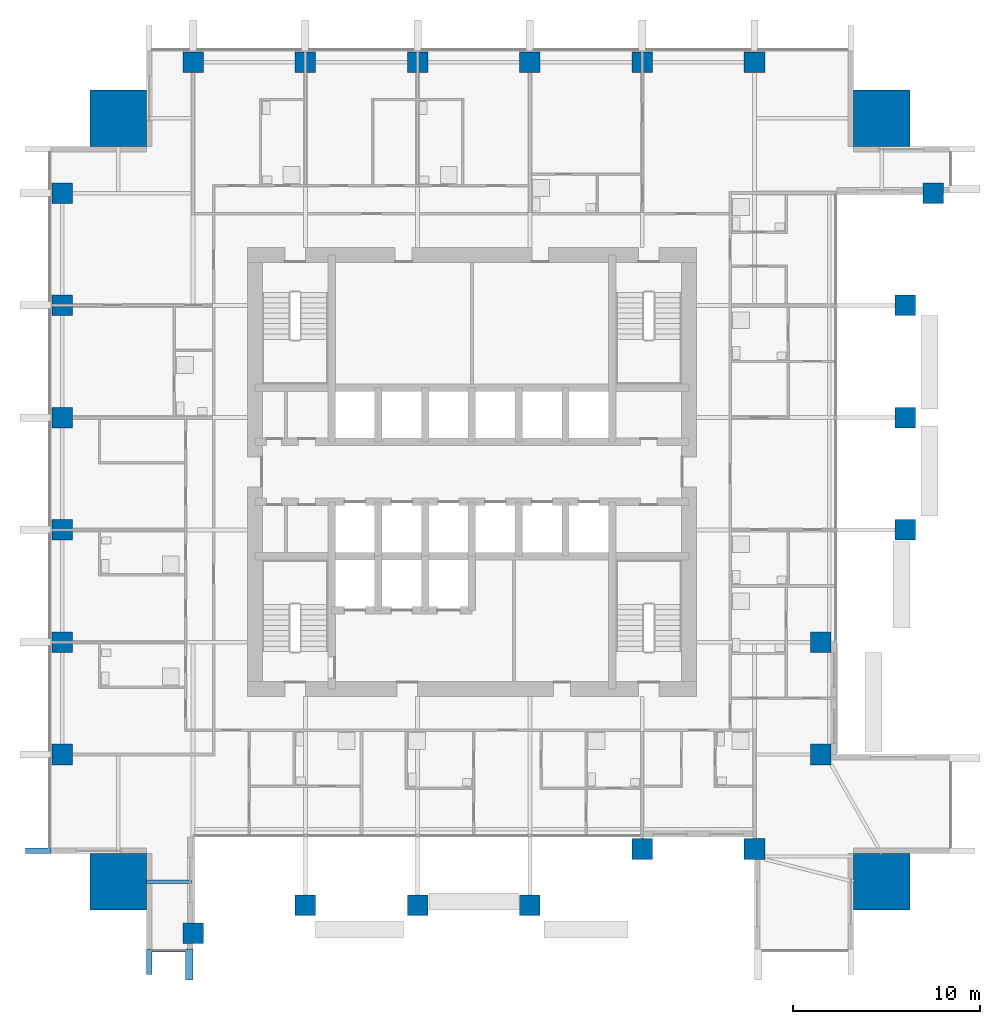
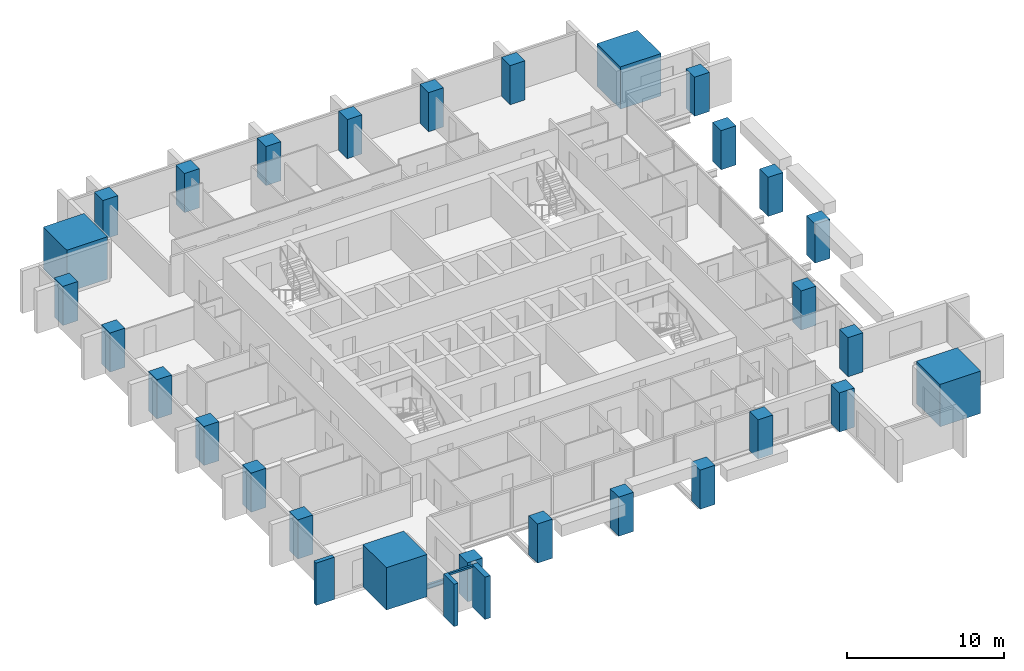
# One storey, part 1 of 13: 28 columns, 4 members, 1 beam, 2 elements without a shape of their own.
"""IFC4 building model written with IfcOpenShell, lengths in metres."""

from ifc_helpers import new_model, si_unit, direction, frame, origin, origin_2d, place, context, subcontext, project, spatial, rectangle, i_section, extrude, material, material_profile, profile_set, type_object, element, aggregate, save


model = new_model("IFC4")

# Units and contexts
model_context = context("Model", 3, precision=1e-05, world=origin(), true_north=direction((0.0, 1.0)))
body_context = subcontext(model_context, "Body", "Model", "MODEL_VIEW")
ifc_project = project(units=[si_unit("LENGTHUNIT", "METRE"), si_unit("AREAUNIT", "SQUARE_METRE"), si_unit("VOLUMEUNIT", "CUBIC_METRE"), si_unit("PLANEANGLEUNIT", "RADIAN"), si_unit("MASSUNIT", "GRAM", prefix="KILO")], contexts=[model_context])

# Site, building, storey
site_placement = place(None, origin())
site = spatial("IfcSite", under=ifc_project, at=site_placement, CompositionType="ELEMENT")
building_placement = place(site_placement, origin())
building = spatial("IfcBuilding", under=site, at=building_placement, Name="Amberfall Residences", CompositionType="ELEMENT")
storey_placement = place(building_placement, frame((0.0, 0.0, 111.699951171875)))
storey = spatial("IfcBuildingStorey", under=building, at=storey_placement, Name="L30", CompositionType="ELEMENT", Elevation=111.699951171875)

# Columns
ifc_material_1 = material(Name="Concrete C70", Category="concrete")
ifc_material_profile_1 = material_profile(ifc_material_1, rectangle(XDim=1.10009765625, YDim=1.10009765625, at=origin_2d()), Name="Column 1100 x 1100 C70")
ifc_profile_set_1 = profile_set([ifc_material_profile_1], Name="Concrete C70")
column_type_1 = type_object("IfcColumnType", Name="Column 1100 x 1100 C70", PredefinedType="COLUMN", material=ifc_profile_set_1)
for number, where, z_axis, x_axis, name in (
    (1, (59.60009765625, 20.85009765625, 0.0), (0.0, 0.0, 1.0), (1.0, 0.0, 0.0), "Column C2 L30 S1"),
    (2, (65.60009765625, 22.35009765625, 0.0), (0.0, 0.0, 1.0), (1.0, 0.0, 0.0), "Column C2 L30 S2"),
    (3, (71.60009765625, 22.35009765625, 0.0), (0.0, 0.0, 1.0), (1.0, 0.0, 0.0), "Column C2 L30 S3"),
    (4, (77.60009765625, 22.35009765625, 0.0), (0.0, 0.0, 1.0), (1.0, 0.0, 0.0), "Column C2 L30 S4"),
    (5, (83.60009765625, 25.35009765625, 0.0), (0.0, 0.0, 1.0), (1.0, 0.0, 0.0), "Column C2 L30 S5"),
    (6, (89.60009765625, 25.35009765625, 0.0), (0.0, 0.0, 1.0), (1.0, 0.0, 0.0), "Column C2 L30 S6"),
    (7, (93.14990234375, 30.39990234375, 0.0), (0.0, 0.0, 1.0), (1.0, 0.0, 0.0), "Column C2 L30 E1"),
    (8, (93.14990234375, 36.39990234375, 0.0), (0.0, 0.0, 1.0), (1.0, 0.0, 0.0), "Column C2 L30 E2"),
    (9, (97.64990234375, 42.39990234375, 0.0), (0.0, 0.0, 1.0), (1.0, 0.0, 0.0), "Column C2 L30 E3"),
    (10, (97.64990234375, 48.39990234375, 0.0), (0.0, 0.0, 1.0), (1.0, 0.0, 0.0), "Column C2 L30 E4"),
    (11, (97.64990234375, 54.39990234375, 0.0), (0.0, 0.0, 1.0), (1.0, 0.0, 0.0), "Column C2 L30 E5"),
    (12, (99.14990234375, 60.39990234375, 0.0), (0.0, 0.0, 1.0), (1.0, 0.0, 0.0), "Column C2 L30 E6"),
    (13, (59.60009765625, 67.39990234375, 0.0), (0.0, 0.0, 1.0), (1.0, 0.0, 0.0), "Column C2 L30 N1"),
    (14, (65.60009765625, 67.39990234375, 0.0), (0.0, 0.0, 1.0), (1.0, 0.0, 0.0), "Column C2 L30 N2"),
    (15, (71.60009765625, 67.39990234375, 0.0), (0.0, 0.0, 1.0), (1.0, 0.0, 0.0), "Column C2 L30 N3"),
    (16, (77.60009765625, 67.39990234375, 0.0), (0.0, 0.0, 1.0), (1.0, 0.0, 0.0), "Column C2 L30 N4"),
    (17, (83.60009765625, 67.39990234375, 0.0), (0.0, 0.0, 1.0), (1.0, 0.0, 0.0), "Column C2 L30 N5"),
    (18, (89.60009765625, 67.39990234375, 0.0), (0.0, 0.0, 1.0), (1.0, 0.0, 0.0), "Column C2 L30 N6"),
    (19, (52.60009765625, 30.39990234375, 0.0), (0.0, 0.0, 1.0), (1.0, 0.0, 0.0), "Column C2 L30 W1"),
    (20, (52.60009765625, 36.39990234375, 0.0), (0.0, 0.0, 1.0), (1.0, 0.0, 0.0), "Column C2 L30 W2"),
    (21, (52.60009765625, 42.39990234375, 0.0), (0.0, 0.0, 1.0), (1.0, 0.0, 0.0), "Column C2 L30 W3"),
    (22, (52.60009765625, 48.39990234375, 0.0), (0.0, 0.0, 1.0), (1.0, 0.0, 0.0), "Column C2 L30 W4"),
    (23, (52.60009765625, 54.39990234375, 0.0), (0.0, 0.0, 1.0), (1.0, 0.0, 0.0), "Column C2 L30 W5"),
    (24, (52.60009765625, 60.39990234375, 0.0), (0.0, 0.0, 1.0), (1.0, 0.0, 0.0), "Column C2 L30 W6"),
):
    element("IfcColumn", number, at=place(storey_placement, frame(where, z_axis=z_axis, x_axis=x_axis)), inside=storey, type_object=column_type_1, Name=name, PredefinedType="COLUMN", context=body_context, shape_type="SweptSolid", body=[
        extrude(rectangle(XDim=1.10009765625, YDim=1.10009765625, at=origin_2d()), origin(), (0.0, 0.0, 1.0), 3.050048828125),
    ])
ifc_material_profile_2 = material_profile(ifc_material_1, rectangle(XDim=3.0, YDim=3.0, at=origin_2d()), Name="Mega column 3000 x 3000 C70")
ifc_profile_set_2 = profile_set([ifc_material_profile_2], Name="Concrete C70")
column_type_2 = type_object("IfcColumnType", Name="Mega column 3000 x 3000 C70", PredefinedType="COLUMN", material=ifc_profile_set_2)
for number, where, z_axis, x_axis, name in (
    (25, (55.60009765625, 23.60009765625, 0.0), (0.0, 0.0, 1.0), (1.0, 0.0, 0.0), "Mega column MC2 L30 SW"),
    (26, (96.39990234375, 23.60009765625, 0.0), (0.0, 0.0, 1.0), (1.0, 0.0, 0.0), "Mega column MC2 L30 SE"),
    (27, (96.39990234375, 64.39990234375, 0.0), (0.0, 0.0, 1.0), (1.0, 0.0, 0.0), "Mega column MC2 L30 NE"),
    (28, (55.60009765625, 64.39990234375, 0.0), (0.0, 0.0, 1.0), (1.0, 0.0, 0.0), "Mega column MC2 L30 NW"),
):
    element("IfcColumn", number, at=place(storey_placement, frame(where, z_axis=z_axis, x_axis=x_axis)), inside=storey, type_object=column_type_2, Name=name, PredefinedType="COLUMN", context=body_context, shape_type="SweptSolid", body=[
        extrude(rectangle(XDim=3.0, YDim=3.0, at=origin_2d()), origin(), (0.0, 0.0, 1.0), 3.300048828125),
    ])

# Curtain wall, members
ifc_material_2 = material(Name="Bronze anodised aluminium and glass", Category="aluminium")
curtain_wall_type = type_object("IfcCurtainWallType", Name="Curtain wall CW1 tower unit", PredefinedType="USERDEFINED", material=ifc_material_2)
curtain_wall_1_placement = place(storey_placement, origin())
curtain_wall_1 = element("IfcCurtainWall", 29, at=curtain_wall_1_placement, inside=storey, type_object=curtain_wall_type, Name="Curtain wall L30 S S1", ObjectType="UNITISED CURTAIN WALL", PredefinedType="USERDEFINED")
ifc_material_3 = material(Name="Bronze anodised aluminium", Category="aluminium")
ifc_material_profile_3 = material_profile(ifc_material_3, rectangle(XDim=0.14990234375, YDim=0.14990234375, at=origin_2d()), Name="CW1 transom 150 x 150 bronze")
ifc_profile_set_3 = profile_set([ifc_material_profile_3], Name="Bronze anodised aluminium")
member_type_1 = type_object("IfcMemberType", Name="CW1 transom 150 x 150 bronze", PredefinedType="USERDEFINED", material=ifc_profile_set_3)
member_1_placement = place(storey_placement, frame((57.39990234375, 19.925048828125, 2.97509765625), z_axis=(1.0, 0.0, 0.0), x_axis=(0.0, 1.0, 0.0)))
member_1 = element("IfcMember", 30, at=member_1_placement, type_object=member_type_1, Name="CW1 transom 1.1", ObjectType="TRANSOM", PredefinedType="USERDEFINED", context=body_context, shape_type="SweptSolid", body=[
    extrude(rectangle(XDim=0.14990234375, YDim=0.14990234375, at=origin_2d()), origin(), (0.0, 0.0, 1.0), 1.800048828125),
])
ifc_material_profile_4 = material_profile(ifc_material_3, rectangle(XDim=1.35009765625, YDim=0.300048828125, at=origin_2d()), Name="Corner fin 300 x 1350 bronze")
ifc_profile_set_4 = profile_set([ifc_material_profile_4], Name="Bronze anodised aluminium")
member_type_2 = type_object("IfcMemberType", Name="Corner fin 300 x 1350 bronze", PredefinedType="MULLION", material=ifc_profile_set_4)
member_2_placement = place(storey_placement, frame((57.25, 19.324951171875, -0.25), z_axis=(0.0, 0.0, 1.0), x_axis=(0.0, 1.0, 0.0)))
member_2 = element("IfcMember", 31, at=member_2_placement, type_object=member_type_2, Name="CW FIN 1", PredefinedType="MULLION", context=body_context, shape_type="SweptSolid", body=[
    extrude(rectangle(XDim=1.35009765625, YDim=0.300048828125, at=origin_2d()), origin(), (0.0, 0.0, 1.0), 3.300048828125),
])

# Curtain wall, member
curtain_wall_2_placement = place(storey_placement, origin())
curtain_wall_2 = element("IfcCurtainWall", 32, at=curtain_wall_2_placement, inside=storey, type_object=curtain_wall_type, Name="Curtain wall L30 W W1", ObjectType="UNITISED CURTAIN WALL", PredefinedType="USERDEFINED")
member_3_placement = place(storey_placement, frame((51.324951171875, 25.25, -0.25), z_axis=(0.0, 0.0, 1.0), x_axis=(1.0, 0.0, 0.0)))
member_3 = element("IfcMember", 33, at=member_3_placement, type_object=member_type_2, Name="CW FIN 8", PredefinedType="MULLION", context=body_context, shape_type="SweptSolid", body=[
    extrude(rectangle(XDim=1.35009765625, YDim=0.300048828125, at=origin_2d()), origin(), (0.0, 0.0, 1.0), 3.300048828125),
])
aggregate(curtain_wall_2, [member_3])

# Member
ifc_material_profile_5 = material_profile(ifc_material_3, rectangle(XDim=1.64990234375, YDim=0.39990234375, at=origin_2d()), Name="Fin 400 x 1650 bronze")
ifc_profile_set_5 = profile_set([ifc_material_profile_5], Name="Bronze anodised aluminium")
member_type_3 = type_object("IfcMemberType", Name="Fin 400 x 1650 bronze", PredefinedType="MULLION", material=ifc_profile_set_5)
member_4_placement = place(storey_placement, frame((59.39990234375, 19.175048828125, -0.25), z_axis=(0.0, 0.0, 1.0), x_axis=(0.0, 1.0, 0.0)))
member_4 = element("IfcMember", 34, at=member_4_placement, type_object=member_type_3, Name="CW FIN 2", PredefinedType="MULLION", context=body_context, shape_type="SweptSolid", body=[
    extrude(rectangle(XDim=1.64990234375, YDim=0.39990234375, at=origin_2d()), origin(), (0.0, 0.0, 1.0), 3.300048828125),
])

aggregate(curtain_wall_1, [member_2, member_4, member_1])

# Beam
ifc_material_4 = material(Name="Steel S355", Category="steel")
ifc_material_profile_6 = material_profile(ifc_material_4, i_section(OverallWidth=0.171142578125, OverallDepth=0.351318359375, WebThickness=0.007080078125, FlangeThickness=0.009765625, FilletRadius=0.01025390625, at=origin_2d()), Name="UB 356x171x45")
ifc_profile_set_6 = profile_set([ifc_material_profile_6], Name="Steel S355")
beam_type = type_object("IfcBeamType", Name="Link beam UB 356x171x45", PredefinedType="BEAM", material=ifc_profile_set_6)
beam_placement = place(storey_placement, frame((57.10009765625, 23.60009765625, -0.425537109375), z_axis=(1.0, 0.0, 0.0), x_axis=(0.0, 1.0, 0.0)))
element("IfcBeam", 35, at=beam_placement, inside=storey, type_object=beam_type, Name="Link beam B7 L30 46", PredefinedType="BEAM", context=body_context, shape_type="SweptSolid", body=[
    extrude(i_section(OverallWidth=0.171142578125, OverallDepth=0.351318359375, WebThickness=0.007080078125, FlangeThickness=0.009765625, FilletRadius=0.01025390625, at=origin_2d()), origin(), (0.0, 0.0, 1.0), 2.404541015625),
])

save(model, "model.ifc")
